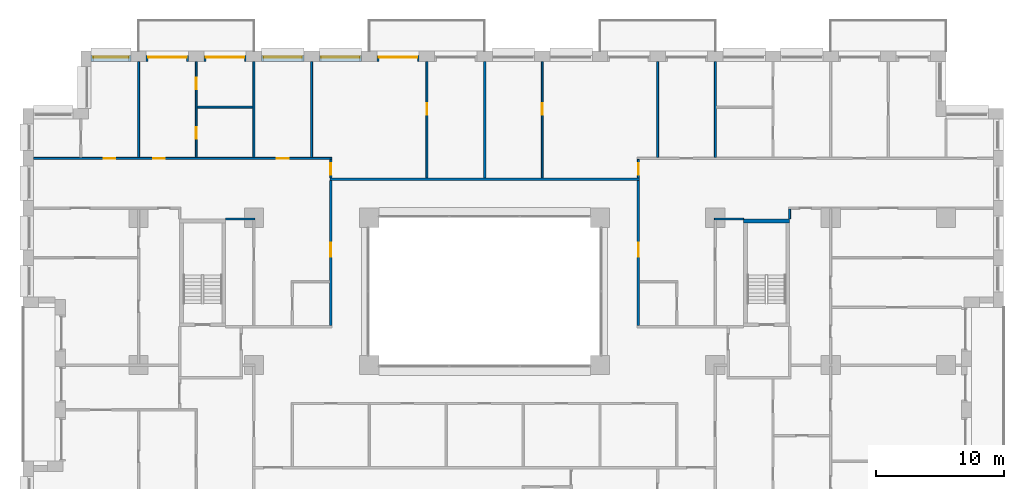
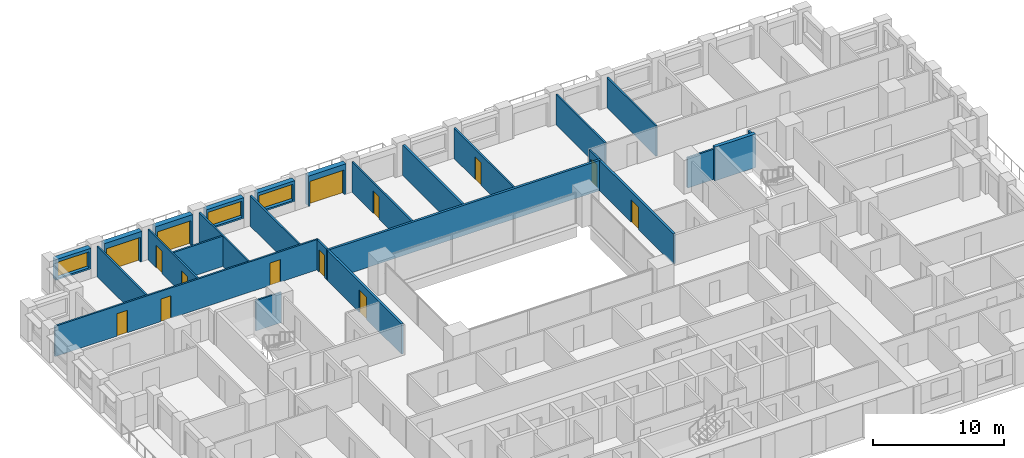
# One storey, part 14 of 19: 26 walls, 14 doors, 3 windows, 17 openings.
"""IFC4 building model written with IfcOpenShell, lengths in metres."""

from ifc_helpers import new_model, si_unit, direction, frame, frame_2d, origin, place, context, subcontext, project, spatial, rectangle, extrude, material, layer, layer_set, type_object, element, fill, save


model = new_model("IFC4")

# Units and contexts
model_context = context("Model", 3, precision=1e-05, world=origin(), true_north=direction((0.0, 1.0)))
body_context = subcontext(model_context, "Body", "Model", "MODEL_VIEW")
ifc_project = project(units=[si_unit("LENGTHUNIT", "METRE"), si_unit("AREAUNIT", "SQUARE_METRE"), si_unit("VOLUMEUNIT", "CUBIC_METRE"), si_unit("PLANEANGLEUNIT", "RADIAN"), si_unit("MASSUNIT", "GRAM", prefix="KILO")], contexts=[model_context])

# Site, building, storey
site_placement = place(None, origin())
site = spatial("IfcSite", under=ifc_project, at=site_placement, CompositionType="ELEMENT")
building_placement = place(site_placement, origin())
building = spatial("IfcBuilding", under=site, at=building_placement, Name="Brigalow Station Residences", CompositionType="ELEMENT")
storey_placement = place(building_placement, frame((0.0, 0.0, 25.800048828125)))
storey = spatial("IfcBuildingStorey", under=building, at=storey_placement, Name="L06", CompositionType="ELEMENT", Elevation=25.800048828125)

# Wall, opening, door
ifc_material_1 = material(Name="Clay brick masonry", Category="masonry")
ifc_layer_1 = layer(ifc_material_1, 0.449951171875)
ifc_layer_set_1 = layer_set([ifc_layer_1], Name="BRICK INFILL WALL 450")
wall_type_1 = type_object("IfcWallType", Name="BRICK INFILL WALL 450", PredefinedType="SOLIDWALL", material=ifc_layer_set_1)
wall_1_placement = place(storey_placement, frame((30.89990234375, 47.925048828125, 0.0), z_axis=(0.0, 0.0, 1.0), x_axis=(-1.0, 0.0, 0.0)))
wall_1 = element("IfcWall", 1, at=wall_1_placement, inside=storey, type_object=wall_type_1, Name="L06/ewall/W-L06-34", PredefinedType="SOLIDWALL", context=body_context, shape_type="SweptSolid", body=[
    extrude(rectangle(XDim=3.2998046875, YDim=0.449951171875, at=frame_2d((1.64990234375, 0.0))), origin(), (0.0, 0.0, 1.0), 2.829833984375),
])
opening_1_placement = place(wall_1_placement, frame((0.14990234375, 0.0, 0.0)))
opening_1 = element("IfcOpeningElement", 2, at=opening_1_placement, cuts=wall_1, Name="Opening D-B3000", PredefinedType="OPENING", context=body_context, shape_type="SweptSolid", body=[
    extrude(rectangle(XDim=3.0, YDim=2.300048828125, at=frame_2d((1.5, 1.14990234375))), frame((0.0, 0.23486328125, 0.0), z_axis=(0.0, -1.0, 0.0), x_axis=(1.0, 0.0, 0.0)), (0.0, 0.0, 1.0), 0.469970703125),
])
ifc_material_2 = material(Name="Anodised aluminium frame with double glazing", Category="aluminium")
door_type_1 = type_object("IfcDoorType", Name="BALCONY SLIDING DOOR 3000x2300", OperationType="SLIDING_TO_LEFT", PredefinedType="DOOR", material=ifc_material_2)
door_1_placement = place(opening_1_placement, origin())
door_1 = element("IfcDoor", 3, at=door_1_placement, inside=storey, type_object=door_type_1, Name="L06/balcony-door/W-L06-34", OperationType="SLIDING_TO_LEFT", OverallHeight=2.300048828125, OverallWidth=3.0, PredefinedType="DOOR", context=body_context, shape_type="SweptSolid", body=[
    extrude(rectangle(XDim=3.0, YDim=2.300048828125, at=frame_2d((1.5, 1.14990234375))), frame((0.0, -0.06982421875, 0.0), z_axis=(0.0, -1.0, 0.0), x_axis=(1.0, 0.0, 0.0)), (0.0, 0.0, 1.0), 0.050048828125),
])
fill(opening_1, door_1)

# Wall, opening, window
wall_2_placement = place(storey_placement, frame((26.39990234375, 47.925048828125, 0.89990234375), z_axis=(0.0, 0.0, 1.0), x_axis=(-1.0, 0.0, 0.0)))
wall_2 = element("IfcWall", 4, at=wall_2_placement, inside=storey, type_object=wall_type_1, Name="L06/ewall/W-L06-35", PredefinedType="SOLIDWALL", context=body_context, shape_type="SweptSolid", body=[
    extrude(rectangle(XDim=3.2998046875, YDim=0.449951171875, at=frame_2d((1.64990234375, 0.0))), origin(), (0.0, 0.0, 1.0), 1.929931640625),
])
opening_2_placement = place(wall_2_placement, frame((0.14990234375, 0.0, 0.14990234375)))
opening_2 = element("IfcOpeningElement", 5, at=opening_2_placement, cuts=wall_2, Name="Opening WT-2", PredefinedType="OPENING", context=body_context, shape_type="SweptSolid", body=[
    extrude(rectangle(XDim=3.0, YDim=1.5, at=frame_2d((1.5, 0.75))), frame((0.0, 0.23486328125, 0.0), z_axis=(0.0, -1.0, 0.0), x_axis=(1.0, 0.0, 0.0)), (0.0, 0.0, 1.0), 0.469970703125),
])
ifc_material_3 = material(Name="Anodised aluminium frame with double glazing", Category="aluminium")
window_type_1 = type_object("IfcWindowType", Name="WINDOW 3000x1500", PartitioningType="SINGLE_PANEL", PredefinedType="WINDOW", material=ifc_material_3)
window_1_placement = place(opening_2_placement, origin())
window_1 = element("IfcWindow", 6, at=window_1_placement, inside=storey, type_object=window_type_1, Name="L06/window/W-L06-35", OverallHeight=1.5, OverallWidth=3.0, PartitioningType="SINGLE_PANEL", PredefinedType="WINDOW", context=body_context, shape_type="SweptSolid", body=[
    extrude(rectangle(XDim=3.0, YDim=1.5, at=frame_2d((1.5, 0.75))), frame((0.0, -0.06494140625, 0.0), z_axis=(0.0, -1.0, 0.0), x_axis=(1.0, 0.0, 0.0)), (0.0, 0.0, 1.0), 0.06005859375),
])
fill(opening_2, window_1)

wall_3_placement = place(storey_placement, frame((21.89990234375, 47.925048828125, 0.89990234375), z_axis=(0.0, 0.0, 1.0), x_axis=(-1.0, 0.0, 0.0)))
wall_3 = element("IfcWall", 7, at=wall_3_placement, inside=storey, type_object=wall_type_1, Name="L06/ewall/W-L06-36", PredefinedType="SOLIDWALL", context=body_context, shape_type="SweptSolid", body=[
    extrude(rectangle(XDim=3.2998046875, YDim=0.449951171875, at=frame_2d((1.64990234375, 0.0))), origin(), (0.0, 0.0, 1.0), 1.929931640625),
])
opening_3_placement = place(wall_3_placement, frame((0.14990234375, 0.0, 0.14990234375)))
opening_3 = element("IfcOpeningElement", 8, at=opening_3_placement, cuts=wall_3, Name="Opening WT-2", PredefinedType="OPENING", context=body_context, shape_type="SweptSolid", body=[
    extrude(rectangle(XDim=3.0, YDim=1.5, at=frame_2d((1.5, 0.75))), frame((0.0, 0.23486328125, 0.0), z_axis=(0.0, -1.0, 0.0), x_axis=(1.0, 0.0, 0.0)), (0.0, 0.0, 1.0), 0.469970703125),
])
window_2_placement = place(opening_3_placement, origin())
window_2 = element("IfcWindow", 9, at=window_2_placement, inside=storey, type_object=window_type_1, Name="L06/window/W-L06-36", OverallHeight=1.5, OverallWidth=3.0, PartitioningType="SINGLE_PANEL", PredefinedType="WINDOW", context=body_context, shape_type="SweptSolid", body=[
    extrude(rectangle(XDim=3.0, YDim=1.5, at=frame_2d((1.5, 0.75))), frame((0.0, -0.06494140625, 0.0), z_axis=(0.0, -1.0, 0.0), x_axis=(1.0, 0.0, 0.0)), (0.0, 0.0, 1.0), 0.06005859375),
])
fill(opening_3, window_2)

# Wall, opening, door
wall_4_placement = place(storey_placement, frame((17.39990234375, 47.925048828125, 0.0), z_axis=(0.0, 0.0, 1.0), x_axis=(-1.0, 0.0, 0.0)))
wall_4 = element("IfcWall", 10, at=wall_4_placement, inside=storey, type_object=wall_type_1, Name="L06/ewall/W-L06-37", PredefinedType="SOLIDWALL", context=body_context, shape_type="SweptSolid", body=[
    extrude(rectangle(XDim=3.2998046875, YDim=0.449951171875, at=frame_2d((1.64990234375, 0.0))), origin(), (0.0, 0.0, 1.0), 2.829833984375),
])
opening_4_placement = place(wall_4_placement, frame((0.14990234375, 0.0, 0.0)))
opening_4 = element("IfcOpeningElement", 11, at=opening_4_placement, cuts=wall_4, Name="Opening D-B3000", PredefinedType="OPENING", context=body_context, shape_type="SweptSolid", body=[
    extrude(rectangle(XDim=3.0, YDim=2.300048828125, at=frame_2d((1.5, 1.14990234375))), frame((0.0, 0.23486328125, 0.0), z_axis=(0.0, -1.0, 0.0), x_axis=(1.0, 0.0, 0.0)), (0.0, 0.0, 1.0), 0.469970703125),
])
door_2_placement = place(opening_4_placement, origin())
door_2 = element("IfcDoor", 12, at=door_2_placement, inside=storey, type_object=door_type_1, Name="L06/balcony-door/W-L06-37", OperationType="SLIDING_TO_LEFT", OverallHeight=2.300048828125, OverallWidth=3.0, PredefinedType="DOOR", context=body_context, shape_type="SweptSolid", body=[
    extrude(rectangle(XDim=3.0, YDim=2.300048828125, at=frame_2d((1.5, 1.14990234375))), frame((0.0, -0.06982421875, 0.0), z_axis=(0.0, -1.0, 0.0), x_axis=(1.0, 0.0, 0.0)), (0.0, 0.0, 1.0), 0.050048828125),
])
fill(opening_4, door_2)

wall_5_placement = place(storey_placement, frame((12.89990234375, 47.925048828125, 0.0), z_axis=(0.0, 0.0, 1.0), x_axis=(-1.0, 0.0, 0.0)))
wall_5 = element("IfcWall", 13, at=wall_5_placement, inside=storey, type_object=wall_type_1, Name="L06/ewall/W-L06-38", PredefinedType="SOLIDWALL", context=body_context, shape_type="SweptSolid", body=[
    extrude(rectangle(XDim=3.2998046875, YDim=0.449951171875, at=frame_2d((1.64990234375, 0.0))), origin(), (0.0, 0.0, 1.0), 2.829833984375),
])
opening_5_placement = place(wall_5_placement, frame((0.14990234375, 0.0, 0.0)))
opening_5 = element("IfcOpeningElement", 14, at=opening_5_placement, cuts=wall_5, Name="Opening D-B3000", PredefinedType="OPENING", context=body_context, shape_type="SweptSolid", body=[
    extrude(rectangle(XDim=3.0, YDim=2.300048828125, at=frame_2d((1.5, 1.14990234375))), frame((0.0, 0.23486328125, 0.0), z_axis=(0.0, -1.0, 0.0), x_axis=(1.0, 0.0, 0.0)), (0.0, 0.0, 1.0), 0.469970703125),
])
door_3_placement = place(opening_5_placement, origin())
door_3 = element("IfcDoor", 15, at=door_3_placement, inside=storey, type_object=door_type_1, Name="L06/balcony-door/W-L06-38", OperationType="SLIDING_TO_LEFT", OverallHeight=2.300048828125, OverallWidth=3.0, PredefinedType="DOOR", context=body_context, shape_type="SweptSolid", body=[
    extrude(rectangle(XDim=3.0, YDim=2.300048828125, at=frame_2d((1.5, 1.14990234375))), frame((0.0, -0.06982421875, 0.0), z_axis=(0.0, -1.0, 0.0), x_axis=(1.0, 0.0, 0.0)), (0.0, 0.0, 1.0), 0.050048828125),
])
fill(opening_5, door_3)

# Wall, opening, window
wall_6_placement = place(storey_placement, frame((8.39990234375, 47.925048828125, 0.89990234375), z_axis=(0.0, 0.0, 1.0), x_axis=(-1.0, 0.0, 0.0)))
wall_6 = element("IfcWall", 16, at=wall_6_placement, inside=storey, type_object=wall_type_1, Name="L06/ewall/W-L06-39", PredefinedType="SOLIDWALL", context=body_context, shape_type="SweptSolid", body=[
    extrude(rectangle(XDim=3.099853515625, YDim=0.449951171875, at=frame_2d((1.5498046875, 0.0))), origin(), (0.0, 0.0, 1.0), 1.929931640625),
])
opening_6_placement = place(wall_6_placement, frame((0.175048828125, 0.0, 0.14990234375)))
opening_6 = element("IfcOpeningElement", 17, at=opening_6_placement, cuts=wall_6, Name="Opening WT-3", PredefinedType="OPENING", context=body_context, shape_type="SweptSolid", body=[
    extrude(rectangle(XDim=2.75, YDim=1.5, at=frame_2d((1.375, 0.75))), frame((0.0, 0.23486328125, 0.0), z_axis=(0.0, -1.0, 0.0), x_axis=(1.0, 0.0, 0.0)), (0.0, 0.0, 1.0), 0.469970703125),
])
ifc_material_4 = material(Name="Anodised aluminium frame with double glazing", Category="aluminium")
window_type_2 = type_object("IfcWindowType", Name="WINDOW 2750x1500", PartitioningType="SINGLE_PANEL", PredefinedType="WINDOW", material=ifc_material_4)
window_3_placement = place(opening_6_placement, origin())
window_3 = element("IfcWindow", 18, at=window_3_placement, inside=storey, type_object=window_type_2, Name="L06/window/W-L06-39", OverallHeight=1.5, OverallWidth=2.75, PartitioningType="SINGLE_PANEL", PredefinedType="WINDOW", context=body_context, shape_type="SweptSolid", body=[
    extrude(rectangle(XDim=2.75, YDim=1.5, at=frame_2d((1.375, 0.75))), frame((0.0, -0.06494140625, 0.0), z_axis=(0.0, -1.0, 0.0), x_axis=(1.0, 0.0, 0.0)), (0.0, 0.0, 1.0), 0.06005859375),
])
fill(opening_6, window_3)

# Walls
ifc_material_5 = material(Name="Concrete C80", Category="concrete")
ifc_layer_2 = layer(ifc_material_5, 0.300048828125)
ifc_layer_set_2 = layer_set([ifc_layer_2], Name="CORE SHEAR WALL 300 C80")
wall_type_2 = type_object("IfcWallType", Name="CORE SHEAR WALL 300 C80", PredefinedType="SHEAR", material=ifc_layer_set_2)
wall_7_placement = place(storey_placement, frame((56.199951171875, 35.25, 0.0), z_axis=(0.0, 0.0, 1.0), x_axis=(1.0, 0.0, 0.0)))
element("IfcWall", 19, at=wall_7_placement, inside=storey, type_object=wall_type_2, Name="CORE WALL ST-S3-N L06", PredefinedType="SHEAR", context=body_context, shape_type="SweptSolid", body=[
    extrude(rectangle(XDim=3.60009765625, YDim=0.300048828125, at=frame_2d((1.800048828125, 0.0))), origin(), (0.0, 0.0, 1.0), 3.14990234375),
])
ifc_material_6 = material(Name="Plasterboard on steel stud partition", Category="steel")
ifc_layer_3 = layer(ifc_material_6, 0.14990234375)
ifc_layer_set_3 = layer_set([ifc_layer_3], Name="FLAT PARTITION 150")
wall_type_3 = type_object("IfcWallType", Name="FLAT PARTITION 150", PredefinedType="PARTITIONING", material=ifc_layer_set_3)
for number, where, z_axis, x_axis, name in (
    (20, (15.800048828125, 35.39990234375, 0.0), (0.0, 0.0, 1.0), (1.0, 0.0, 0.0), "PW-1A20"),
    (21, (53.925048828125, 35.39990234375, 0.0), (0.0, 0.0, 1.0), (1.0, 0.0, 0.0), "PW-1A21"),
):
    element("IfcWall", number, at=place(storey_placement, frame(where, z_axis=z_axis, x_axis=x_axis)), inside=storey, type_object=wall_type_3, Name=name, PredefinedType="PARTITIONING", context=body_context, shape_type="SweptSolid", body=[
        extrude(rectangle(XDim=2.27490234375, YDim=0.14990234375, at=frame_2d((1.137451171875, 0.0))), origin(), (0.0, 0.0, 1.0), 2.829833984375),
    ])

# Wall, openings, doors
wall_8_placement = place(storey_placement, frame((0.800048828125, 40.125, 0.0), z_axis=(0.0, 0.0, 1.0), x_axis=(1.0, 0.0, 0.0)))
wall_8 = element("IfcWall", 22, at=wall_8_placement, inside=storey, type_object=wall_type_3, Name="PW-1A22", PredefinedType="PARTITIONING", context=body_context, shape_type="SweptSolid", body=[
    extrude(rectangle(XDim=23.27490234375, YDim=0.14990234375, at=frame_2d((11.637451171875, 0.0))), origin(), (0.0, 0.0, 1.0), 2.829833984375),
])
opening_7_placement = place(wall_8_placement, frame((5.5, 0.0, 0.0)))
opening_7 = element("IfcOpeningElement", 23, at=opening_7_placement, cuts=wall_8, Name="Opening D-1A21", PredefinedType="OPENING", context=body_context, shape_type="SweptSolid", body=[
    extrude(rectangle(XDim=0.89990234375, YDim=2.10009765625, at=frame_2d((0.449951171875, 1.050048828125))), frame((0.0, 0.0849609375, 0.0), z_axis=(0.0, -1.0, 0.0), x_axis=(1.0, 0.0, 0.0)), (0.0, 0.0, 1.0), 0.169921875),
])
opening_8_placement = place(wall_8_placement, frame((9.35009765625, 0.0, 0.0)))
opening_8 = element("IfcOpeningElement", 24, at=opening_8_placement, cuts=wall_8, Name="Opening D-1A23", PredefinedType="OPENING", context=body_context, shape_type="SweptSolid", body=[
    extrude(rectangle(XDim=0.89990234375, YDim=2.10009765625, at=frame_2d((0.449951171875, 1.050048828125))), frame((0.0, 0.0849609375, 0.0), z_axis=(0.0, -1.0, 0.0), x_axis=(1.0, 0.0, 0.0)), (0.0, 0.0, 1.0), 0.169921875),
])
opening_9_placement = place(wall_8_placement, frame((19.0, 0.0, 0.0)))
opening_9 = element("IfcOpeningElement", 25, at=opening_9_placement, cuts=wall_8, Name="Opening D-1A26", PredefinedType="OPENING", context=body_context, shape_type="SweptSolid", body=[
    extrude(rectangle(XDim=0.89990234375, YDim=2.10009765625, at=frame_2d((0.449951171875, 1.050048828125))), frame((0.0, 0.0849609375, 0.0), z_axis=(0.0, -1.0, 0.0), x_axis=(1.0, 0.0, 0.0)), (0.0, 0.0, 1.0), 0.169921875),
])
ifc_material_7 = material(Name="Solid-core timber door leaf", Category="wood")
door_type_2 = type_object("IfcDoorType", Name="INTERNAL DOOR 900 x 2100", OperationType="SINGLE_SWING_LEFT", PredefinedType="DOOR", material=ifc_material_7)
door_4_placement = place(opening_7_placement, origin())
door_4 = element("IfcDoor", 26, at=door_4_placement, inside=storey, type_object=door_type_2, Name="D-1A21", OperationType="SINGLE_SWING_LEFT", OverallHeight=2.10009765625, OverallWidth=0.89990234375, PredefinedType="DOOR", context=body_context, shape_type="SweptSolid", body=[
    extrude(rectangle(XDim=0.89990234375, YDim=2.10009765625, at=frame_2d((0.449951171875, 1.050048828125))), frame((0.0, 0.02490234375, 0.0), z_axis=(0.0, -1.0, 0.0), x_axis=(1.0, 0.0, 0.0)), (0.0, 0.0, 1.0), 0.050048828125),
])
fill(opening_7, door_4)
door_5_placement = place(opening_8_placement, origin())
door_5 = element("IfcDoor", 27, at=door_5_placement, inside=storey, type_object=door_type_2, Name="D-1A23", OperationType="SINGLE_SWING_LEFT", OverallHeight=2.10009765625, OverallWidth=0.89990234375, PredefinedType="DOOR", context=body_context, shape_type="SweptSolid", body=[
    extrude(rectangle(XDim=0.89990234375, YDim=2.10009765625, at=frame_2d((0.449951171875, 1.050048828125))), frame((0.0, 0.02490234375, 0.0), z_axis=(0.0, -1.0, 0.0), x_axis=(1.0, 0.0, 0.0)), (0.0, 0.0, 1.0), 0.050048828125),
])
fill(opening_8, door_5)
door_6_placement = place(opening_9_placement, origin())
door_6 = element("IfcDoor", 28, at=door_6_placement, inside=storey, type_object=door_type_2, Name="D-1A26", OperationType="SINGLE_SWING_LEFT", OverallHeight=2.10009765625, OverallWidth=0.89990234375, PredefinedType="DOOR", context=body_context, shape_type="SweptSolid", body=[
    extrude(rectangle(XDim=0.89990234375, YDim=2.10009765625, at=frame_2d((0.449951171875, 1.050048828125))), frame((0.0, 0.02490234375, 0.0), z_axis=(0.0, -1.0, 0.0), x_axis=(1.0, 0.0, 0.0)), (0.0, 0.0, 1.0), 0.050048828125),
])
fill(opening_9, door_6)

# Walls
wall_9_placement = place(storey_placement, frame((13.574951171875, 44.125, 0.0), z_axis=(0.0, 0.0, 1.0), x_axis=(1.0, 0.0, 0.0)))
element("IfcWall", 29, at=wall_9_placement, inside=storey, type_object=wall_type_3, Name="PW-1A26", PredefinedType="PARTITIONING", context=body_context, shape_type="SweptSolid", body=[
    extrude(rectangle(XDim=4.35009765625, YDim=0.14990234375, at=frame_2d((2.175048828125, 0.0))), origin(), (0.0, 0.0, 1.0), 2.829833984375),
])
for number, where, z_axis, x_axis, name in (
    (30, (18.0, 40.199951171875, 0.0), (0.0, 0.0, 1.0), (0.0, 1.0, 0.0), "PW-1A33"),
    (31, (54.0, 40.199951171875, 0.0), (0.0, 0.0, 1.0), (0.0, 1.0, 0.0), "PW-1A36"),
):
    element("IfcWall", number, at=place(storey_placement, frame(where, z_axis=z_axis, x_axis=x_axis)), inside=storey, type_object=wall_type_3, Name=name, PredefinedType="PARTITIONING", context=body_context, shape_type="SweptSolid", body=[
        extrude(rectangle(XDim=7.5, YDim=0.14990234375, at=frame_2d((3.75, 0.0))), origin(), (0.0, 0.0, 1.0), 2.829833984375),
    ])

# Wall, opening, door
wall_10_placement = place(storey_placement, frame((24.0, 38.60009765625, 0.0), z_axis=(0.0, 0.0, 1.0), x_axis=(0.0, 1.0, 0.0)))
wall_10 = element("IfcWall", 32, at=wall_10_placement, inside=storey, type_object=wall_type_3, Name="PW-1A42", PredefinedType="PARTITIONING", context=body_context, shape_type="SweptSolid", body=[
    extrude(rectangle(XDim=1.449951171875, YDim=0.14990234375, at=frame_2d((0.72509765625, 0.0))), origin(), (0.0, 0.0, 1.0), 2.829833984375),
])
opening_10_placement = place(wall_10_placement, frame((0.261962890625, 0.0, 0.0)))
opening_10 = element("IfcOpeningElement", 33, at=opening_10_placement, cuts=wall_10, Name="Opening D-1A27", PredefinedType="OPENING", context=body_context, shape_type="SweptSolid", body=[
    extrude(rectangle(XDim=0.89990234375, YDim=2.10009765625, at=frame_2d((0.449951171875, 1.050048828125))), frame((0.0, 0.0849609375, 0.0), z_axis=(0.0, -1.0, 0.0), x_axis=(1.0, 0.0, 0.0)), (0.0, 0.0, 1.0), 0.169921875),
])
door_7_placement = place(opening_10_placement, frame((0.89990234375, 0.0, 0.0), z_axis=(0.0, 0.0, 1.0), x_axis=(-1.0, 0.0, 0.0)))
door_7 = element("IfcDoor", 34, at=door_7_placement, inside=storey, type_object=door_type_2, Name="D-1A27", OperationType="SINGLE_SWING_RIGHT", OverallHeight=2.10009765625, OverallWidth=0.89990234375, PredefinedType="DOOR", context=body_context, shape_type="SweptSolid", body=[
    extrude(rectangle(XDim=0.89990234375, YDim=2.10009765625, at=frame_2d((0.449951171875, 1.050048828125))), frame((0.0, 0.02490234375, 0.0), z_axis=(0.0, -1.0, 0.0), x_axis=(1.0, 0.0, 0.0)), (0.0, 0.0, 1.0), 0.050048828125),
])
fill(opening_10, door_7)

wall_11_placement = place(storey_placement, frame((48.0, 38.60009765625, 0.0), z_axis=(0.0, 0.0, 1.0), x_axis=(0.0, 1.0, 0.0)))
wall_11 = element("IfcWall", 35, at=wall_11_placement, inside=storey, type_object=wall_type_3, Name="PW-1A44", PredefinedType="PARTITIONING", context=body_context, shape_type="SweptSolid", body=[
    extrude(rectangle(XDim=1.449951171875, YDim=0.14990234375, at=frame_2d((0.72509765625, 0.0))), origin(), (0.0, 0.0, 1.0), 2.829833984375),
])
opening_11_placement = place(wall_11_placement, frame((0.261962890625, 0.0, 0.0)))
opening_11 = element("IfcOpeningElement", 36, at=opening_11_placement, cuts=wall_11, Name="Opening D-1A60", PredefinedType="OPENING", context=body_context, shape_type="SweptSolid", body=[
    extrude(rectangle(XDim=0.89990234375, YDim=2.10009765625, at=frame_2d((0.449951171875, 1.050048828125))), frame((0.0, 0.0849609375, 0.0), z_axis=(0.0, -1.0, 0.0), x_axis=(1.0, 0.0, 0.0)), (0.0, 0.0, 1.0), 0.169921875),
])
door_8_placement = place(opening_11_placement, origin())
door_8 = element("IfcDoor", 37, at=door_8_placement, inside=storey, type_object=door_type_2, Name="D-1A60", OperationType="SINGLE_SWING_LEFT", OverallHeight=2.10009765625, OverallWidth=0.89990234375, PredefinedType="DOOR", context=body_context, shape_type="SweptSolid", body=[
    extrude(rectangle(XDim=0.89990234375, YDim=2.10009765625, at=frame_2d((0.449951171875, 1.050048828125))), frame((0.0, 0.02490234375, 0.0), z_axis=(0.0, -1.0, 0.0), x_axis=(1.0, 0.0, 0.0)), (0.0, 0.0, 1.0), 0.050048828125),
])
fill(opening_11, door_8)

# Wall
wall_12_placement = place(storey_placement, frame((9.0, 40.199951171875, 0.0), z_axis=(0.0, 0.0, 1.0), x_axis=(0.0, 1.0, 0.0)))
element("IfcWall", 38, at=wall_12_placement, inside=storey, type_object=wall_type_3, Name="PW-1A50", PredefinedType="PARTITIONING", context=body_context, shape_type="SweptSolid", body=[
    extrude(rectangle(XDim=7.5, YDim=0.14990234375, at=frame_2d((3.75, 0.0))), origin(), (0.0, 0.0, 1.0), 2.829833984375),
])

# Wall, openings, doors
wall_13_placement = place(storey_placement, frame((13.5, 40.199951171875, 0.0), z_axis=(0.0, 0.0, 1.0), x_axis=(0.0, 1.0, 0.0)))
wall_13 = element("IfcWall", 39, at=wall_13_placement, inside=storey, type_object=wall_type_3, Name="PW-1A55", PredefinedType="PARTITIONING", context=body_context, shape_type="SweptSolid", body=[
    extrude(rectangle(XDim=7.5, YDim=0.14990234375, at=frame_2d((3.75, 0.0))), origin(), (0.0, 0.0, 1.0), 2.829833984375),
])
opening_12_placement = place(wall_13_placement, frame((1.47509765625, 0.0, 0.0)))
opening_12 = element("IfcOpeningElement", 40, at=opening_12_placement, cuts=wall_13, Name="Opening D-1A24", PredefinedType="OPENING", context=body_context, shape_type="SweptSolid", body=[
    extrude(rectangle(XDim=0.89990234375, YDim=2.10009765625, at=frame_2d((0.449951171875, 1.050048828125))), frame((0.0, 0.0849609375, 0.0), z_axis=(0.0, -1.0, 0.0), x_axis=(1.0, 0.0, 0.0)), (0.0, 0.0, 1.0), 0.169921875),
])
opening_13_placement = place(wall_13_placement, frame((5.3369140625, 0.0, 0.0)))
opening_13 = element("IfcOpeningElement", 41, at=opening_13_placement, cuts=wall_13, Name="Opening D-1A25", PredefinedType="OPENING", context=body_context, shape_type="SweptSolid", body=[
    extrude(rectangle(XDim=0.89990234375, YDim=2.10009765625, at=frame_2d((0.449951171875, 1.050048828125))), frame((0.0, 0.0849609375, 0.0), z_axis=(0.0, -1.0, 0.0), x_axis=(1.0, 0.0, 0.0)), (0.0, 0.0, 1.0), 0.169921875),
])
door_9_placement = place(opening_12_placement, frame((0.89990234375, 0.0, 0.0), z_axis=(0.0, 0.0, 1.0), x_axis=(-1.0, 0.0, 0.0)))
door_9 = element("IfcDoor", 42, at=door_9_placement, inside=storey, type_object=door_type_2, Name="D-1A24", OperationType="SINGLE_SWING_RIGHT", OverallHeight=2.10009765625, OverallWidth=0.89990234375, PredefinedType="DOOR", context=body_context, shape_type="SweptSolid", body=[
    extrude(rectangle(XDim=0.89990234375, YDim=2.10009765625, at=frame_2d((0.449951171875, 1.050048828125))), frame((0.0, 0.02490234375, 0.0), z_axis=(0.0, -1.0, 0.0), x_axis=(1.0, 0.0, 0.0)), (0.0, 0.0, 1.0), 0.050048828125),
])
fill(opening_12, door_9)
door_10_placement = place(opening_13_placement, frame((0.89990234375, 0.0, 0.0), z_axis=(0.0, 0.0, 1.0), x_axis=(-1.0, 0.0, 0.0)))
door_10 = element("IfcDoor", 43, at=door_10_placement, inside=storey, type_object=door_type_2, Name="D-1A25", OperationType="SINGLE_SWING_LEFT", OverallHeight=2.10009765625, OverallWidth=0.89990234375, PredefinedType="DOOR", context=body_context, shape_type="SweptSolid", body=[
    extrude(rectangle(XDim=0.89990234375, YDim=2.10009765625, at=frame_2d((0.449951171875, 1.050048828125))), frame((0.0, 0.02490234375, 0.0), z_axis=(0.0, -1.0, 0.0), x_axis=(1.0, 0.0, 0.0)), (0.0, 0.0, 1.0), 0.050048828125),
])
fill(opening_13, door_10)

# Wall
wall_14_placement = place(storey_placement, frame((22.5, 40.199951171875, 0.0), z_axis=(0.0, 0.0, 1.0), x_axis=(0.0, 1.0, 0.0)))
element("IfcWall", 44, at=wall_14_placement, inside=storey, type_object=wall_type_3, Name="PW-1A58", PredefinedType="PARTITIONING", context=body_context, shape_type="SweptSolid", body=[
    extrude(rectangle(XDim=7.5, YDim=0.14990234375, at=frame_2d((3.75, 0.0))), origin(), (0.0, 0.0, 1.0), 2.829833984375),
])

# Wall, opening, door
wall_15_placement = place(storey_placement, frame((31.5, 38.60009765625, 0.0), z_axis=(0.0, 0.0, 1.0), x_axis=(0.0, 1.0, 0.0)))
wall_15 = element("IfcWall", 45, at=wall_15_placement, inside=storey, type_object=wall_type_3, Name="PW-1A59", PredefinedType="PARTITIONING", context=body_context, shape_type="SweptSolid", body=[
    extrude(rectangle(XDim=9.099853515625, YDim=0.14990234375, at=frame_2d((4.5498046875, 0.0))), origin(), (0.0, 0.0, 1.0), 2.829833984375),
])
opening_14_placement = place(wall_15_placement, frame((4.93701171875, 0.0, 0.0)))
opening_14 = element("IfcOpeningElement", 46, at=opening_14_placement, cuts=wall_15, Name="Opening D-1A28", PredefinedType="OPENING", context=body_context, shape_type="SweptSolid", body=[
    extrude(rectangle(XDim=0.89990234375, YDim=2.10009765625, at=frame_2d((0.449951171875, 1.050048828125))), frame((0.0, 0.0849609375, 0.0), z_axis=(0.0, -1.0, 0.0), x_axis=(1.0, 0.0, 0.0)), (0.0, 0.0, 1.0), 0.169921875),
])
door_11_placement = place(opening_14_placement, frame((0.89990234375, 0.0, 0.0), z_axis=(0.0, 0.0, 1.0), x_axis=(-1.0, 0.0, 0.0)))
door_11 = element("IfcDoor", 47, at=door_11_placement, inside=storey, type_object=door_type_2, Name="D-1A28", OperationType="SINGLE_SWING_LEFT", OverallHeight=2.10009765625, OverallWidth=0.89990234375, PredefinedType="DOOR", context=body_context, shape_type="SweptSolid", body=[
    extrude(rectangle(XDim=0.89990234375, YDim=2.10009765625, at=frame_2d((0.449951171875, 1.050048828125))), frame((0.0, 0.02490234375, 0.0), z_axis=(0.0, -1.0, 0.0), x_axis=(1.0, 0.0, 0.0)), (0.0, 0.0, 1.0), 0.050048828125),
])
fill(opening_14, door_11)

# Walls
wall_16_placement = place(storey_placement, frame((59.800048828125, 35.39990234375, 0.0), z_axis=(0.0, 0.0, 1.0), x_axis=(0.0, 1.0, 0.0)))
element("IfcWall", 48, at=wall_16_placement, inside=storey, type_object=wall_type_3, Name="PW-1A74", PredefinedType="PARTITIONING", context=body_context, shape_type="SweptSolid", body=[
    extrude(rectangle(XDim=0.775146484375, YDim=0.14990234375, at=frame_2d((0.3876953125, 0.0))), origin(), (0.0, 0.0, 1.0), 2.829833984375),
])
wall_17_placement = place(storey_placement, frame((49.5, 40.199951171875, 0.0), z_axis=(0.0, 0.0, 1.0), x_axis=(0.0, 1.0, 0.0)))
element("IfcWall", 49, at=wall_17_placement, inside=storey, type_object=wall_type_3, Name="PW-1A75", PredefinedType="PARTITIONING", context=body_context, shape_type="SweptSolid", body=[
    extrude(rectangle(XDim=7.5, YDim=0.14990234375, at=frame_2d((3.75, 0.0))), origin(), (0.0, 0.0, 1.0), 2.829833984375),
])

# Wall, opening, door
wall_18_placement = place(storey_placement, frame((40.5, 38.60009765625, 0.0), z_axis=(0.0, 0.0, 1.0), x_axis=(0.0, 1.0, 0.0)))
wall_18 = element("IfcWall", 50, at=wall_18_placement, inside=storey, type_object=wall_type_3, Name="PW-1A76", PredefinedType="PARTITIONING", context=body_context, shape_type="SweptSolid", body=[
    extrude(rectangle(XDim=9.099853515625, YDim=0.14990234375, at=frame_2d((4.5498046875, 0.0))), origin(), (0.0, 0.0, 1.0), 2.829833984375),
])
opening_15_placement = place(wall_18_placement, frame((4.93701171875, 0.0, 0.0)))
opening_15 = element("IfcOpeningElement", 51, at=opening_15_placement, cuts=wall_18, Name="Opening D-1A61", PredefinedType="OPENING", context=body_context, shape_type="SweptSolid", body=[
    extrude(rectangle(XDim=0.89990234375, YDim=2.10009765625, at=frame_2d((0.449951171875, 1.050048828125))), frame((0.0, 0.0849609375, 0.0), z_axis=(0.0, -1.0, 0.0), x_axis=(1.0, 0.0, 0.0)), (0.0, 0.0, 1.0), 0.169921875),
])
door_12_placement = place(opening_15_placement, origin())
door_12 = element("IfcDoor", 52, at=door_12_placement, inside=storey, type_object=door_type_2, Name="D-1A61", OperationType="SINGLE_SWING_RIGHT", OverallHeight=2.10009765625, OverallWidth=0.89990234375, PredefinedType="DOOR", context=body_context, shape_type="SweptSolid", body=[
    extrude(rectangle(XDim=0.89990234375, YDim=2.10009765625, at=frame_2d((0.449951171875, 1.050048828125))), frame((0.0, 0.02490234375, 0.0), z_axis=(0.0, -1.0, 0.0), x_axis=(1.0, 0.0, 0.0)), (0.0, 0.0, 1.0), 0.050048828125),
])
fill(opening_15, door_12)

# Wall
ifc_material_8 = material(Name="Plasterboard on steel stud partition", Category="steel")
ifc_layer_4 = layer(ifc_material_8, 0.199951171875)
ifc_layer_set_4 = layer_set([ifc_layer_4], Name="PARTY AND CORRIDOR WALL 200")
wall_type_4 = type_object("IfcWallType", Name="PARTY AND CORRIDOR WALL 200", PredefinedType="PARTITIONING", material=ifc_layer_set_4)
wall_19_placement = place(storey_placement, frame((23.925048828125, 38.5, 0.0), z_axis=(0.0, 0.0, 1.0), x_axis=(1.0, 0.0, 0.0)))
element("IfcWall", 53, at=wall_19_placement, inside=storey, type_object=wall_type_4, Name="PW-1A08", PredefinedType="PARTITIONING", context=body_context, shape_type="SweptSolid", body=[
    extrude(rectangle(XDim=24.14990234375, YDim=0.199951171875, at=frame_2d((12.074951171875, 0.0))), origin(), (0.0, 0.0, 1.0), 2.829833984375),
])

# Wall, opening, door
wall_20_placement = place(storey_placement, frame((24.0, 27.10009765625, 0.0), z_axis=(0.0, 0.0, 1.0), x_axis=(0.0, 1.0, 0.0)))
wall_20 = element("IfcWall", 54, at=wall_20_placement, inside=storey, type_object=wall_type_4, Name="PW-1A43", PredefinedType="PARTITIONING", context=body_context, shape_type="SweptSolid", body=[
    extrude(rectangle(XDim=11.2998046875, YDim=0.199951171875, at=frame_2d((5.64990234375, 0.0))), origin(), (0.0, 0.0, 1.0), 2.829833984375),
])
opening_16_placement = place(wall_20_placement, frame((5.35009765625, 0.0, 0.0)))
opening_16 = element("IfcOpeningElement", 55, at=opening_16_placement, cuts=wall_20, Name="Opening D-1A29", PredefinedType="OPENING", context=body_context, shape_type="SweptSolid", body=[
    extrude(rectangle(XDim=1.10009765625, YDim=2.10009765625, at=frame_2d((0.550048828125, 1.050048828125))), frame((0.0, 0.10986328125, 0.0), z_axis=(0.0, -1.0, 0.0), x_axis=(1.0, 0.0, 0.0)), (0.0, 0.0, 1.0), 0.219970703125),
])
ifc_material_9 = material(Name="Solid-core timber door leaf", Category="wood")
door_type_3 = type_object("IfcDoorType", Name="FLAT ENTRANCE DOOR 1100 x 2100 FRL -/60/30", OperationType="SINGLE_SWING_LEFT", PredefinedType="DOOR", material=ifc_material_9)
door_13_placement = place(opening_16_placement, origin())
door_13 = element("IfcDoor", 56, at=door_13_placement, inside=storey, type_object=door_type_3, Name="D-1A29", OperationType="SINGLE_SWING_LEFT", OverallHeight=2.10009765625, OverallWidth=1.10009765625, PredefinedType="DOOR", context=body_context, shape_type="SweptSolid", body=[
    extrude(rectangle(XDim=1.10009765625, YDim=2.10009765625, at=frame_2d((0.550048828125, 1.050048828125))), frame((0.0, 0.02490234375, 0.0), z_axis=(0.0, -1.0, 0.0), x_axis=(1.0, 0.0, 0.0)), (0.0, 0.0, 1.0), 0.050048828125),
])
fill(opening_16, door_13)

wall_21_placement = place(storey_placement, frame((48.0, 27.10009765625, 0.0), z_axis=(0.0, 0.0, 1.0), x_axis=(0.0, 1.0, 0.0)))
wall_21 = element("IfcWall", 57, at=wall_21_placement, inside=storey, type_object=wall_type_4, Name="PW-1A45", PredefinedType="PARTITIONING", context=body_context, shape_type="SweptSolid", body=[
    extrude(rectangle(XDim=11.2998046875, YDim=0.199951171875, at=frame_2d((5.64990234375, 0.0))), origin(), (0.0, 0.0, 1.0), 2.829833984375),
])
opening_17_placement = place(wall_21_placement, frame((5.35009765625, 0.0, 0.0)))
opening_17 = element("IfcOpeningElement", 58, at=opening_17_placement, cuts=wall_21, Name="Opening D-1A62", PredefinedType="OPENING", context=body_context, shape_type="SweptSolid", body=[
    extrude(rectangle(XDim=1.10009765625, YDim=2.10009765625, at=frame_2d((0.550048828125, 1.050048828125))), frame((0.0, 0.10986328125, 0.0), z_axis=(0.0, -1.0, 0.0), x_axis=(1.0, 0.0, 0.0)), (0.0, 0.0, 1.0), 0.219970703125),
])
door_14_placement = place(opening_17_placement, frame((1.10009765625, 0.0, 0.0), z_axis=(0.0, 0.0, 1.0), x_axis=(-1.0, 0.0, 0.0)))
door_14 = element("IfcDoor", 59, at=door_14_placement, inside=storey, type_object=door_type_3, Name="D-1A62", OperationType="SINGLE_SWING_RIGHT", OverallHeight=2.10009765625, OverallWidth=1.10009765625, PredefinedType="DOOR", context=body_context, shape_type="SweptSolid", body=[
    extrude(rectangle(XDim=1.10009765625, YDim=2.10009765625, at=frame_2d((0.550048828125, 1.050048828125))), frame((0.0, 0.02490234375, 0.0), z_axis=(0.0, -1.0, 0.0), x_axis=(1.0, 0.0, 0.0)), (0.0, 0.0, 1.0), 0.050048828125),
])
fill(opening_17, door_14)

# Wall
wall_22_placement = place(storey_placement, frame((36.0, 38.60009765625, 0.0), z_axis=(0.0, 0.0, 1.0), x_axis=(0.0, 1.0, 0.0)))
element("IfcWall", 60, at=wall_22_placement, inside=storey, type_object=wall_type_4, Name="PW-1A60", PredefinedType="PARTITIONING", context=body_context, shape_type="SweptSolid", body=[
    extrude(rectangle(XDim=9.099853515625, YDim=0.199951171875, at=frame_2d((4.5498046875, 0.0))), origin(), (0.0, 0.0, 1.0), 2.829833984375),
])

save(model, "model.ifc")
